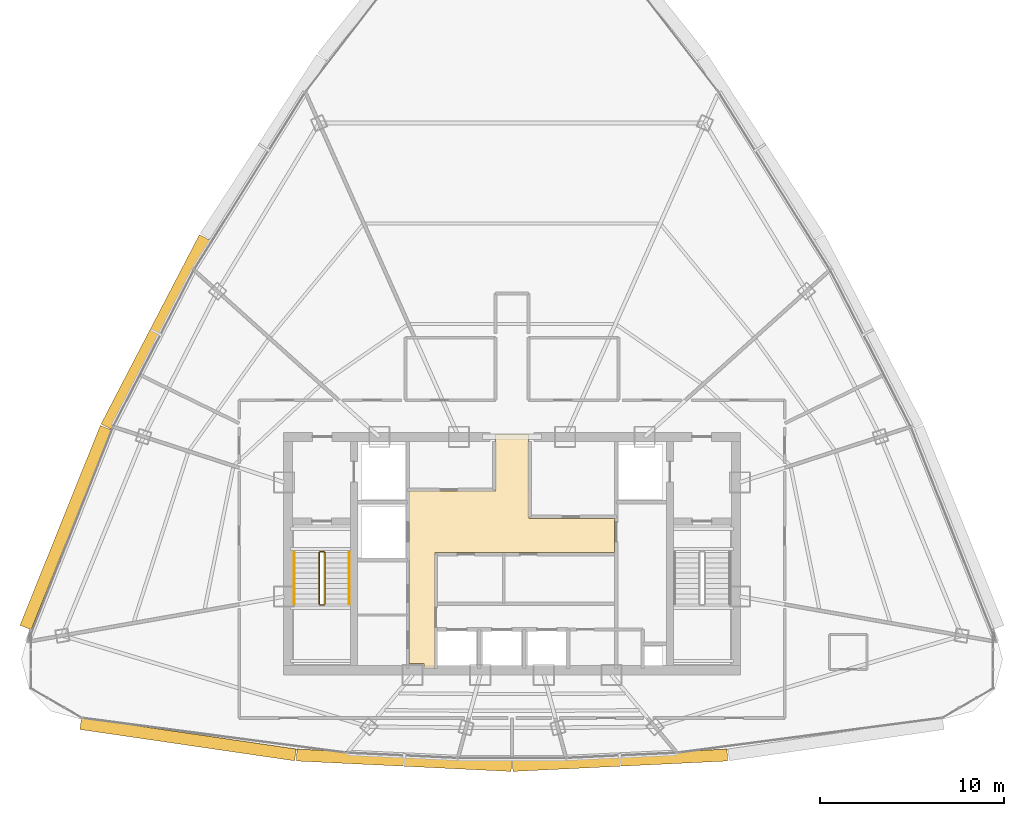
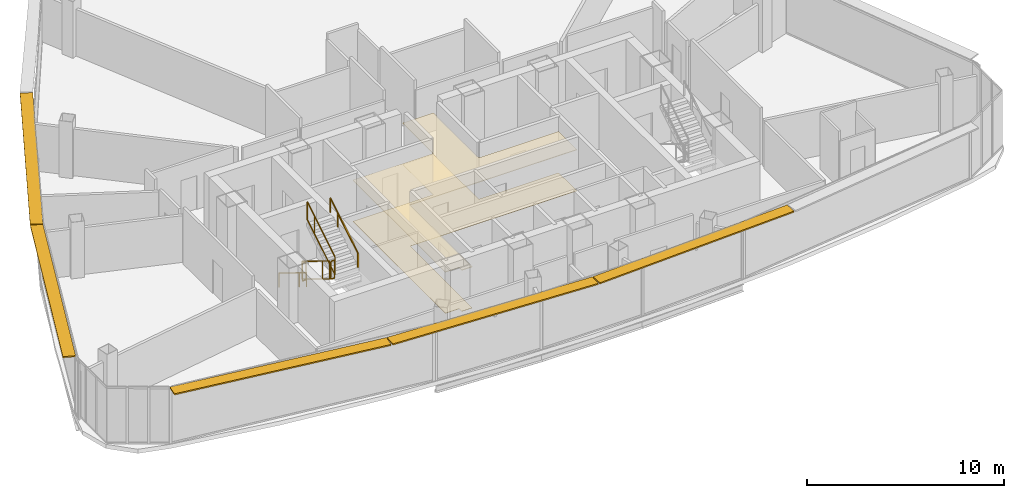
# One storey, part 27 of 29: 6 railings, 5 shading devices, 2 coverings.
"""IFC4 building model written with IfcOpenShell, lengths in metres."""

from ifc_helpers import new_model, si_unit, direction, frame, origin, origin_2d, place, context, subcontext, project, spatial, polyline, rectangle, outline, extrude, source, transform, mapped, material, layer, layer_set, type_object, element, save


model = new_model("IFC4")

# Units and contexts
model_context = context("Model", 3, precision=1e-05, world=origin(), true_north=direction((0.0, 1.0)))
body_context = subcontext(model_context, "Body", "Model", "MODEL_VIEW")
ifc_project = project(units=[si_unit("LENGTHUNIT", "METRE"), si_unit("AREAUNIT", "SQUARE_METRE"), si_unit("VOLUMEUNIT", "CUBIC_METRE"), si_unit("PLANEANGLEUNIT", "RADIAN"), si_unit("MASSUNIT", "GRAM", prefix="KILO"), si_unit("THERMODYNAMICTEMPERATUREUNIT", "KELVIN"), si_unit("POWERUNIT", "WATT")], contexts=[model_context])

# Site, building, storey
site_placement = place(None, origin())
site = spatial("IfcSite", under=ifc_project, at=site_placement, CompositionType="ELEMENT")
building_placement = place(site_placement, origin())
building = spatial("IfcBuilding", under=site, at=building_placement, Name="Yunzhuo Pagoda Commons", CompositionType="ELEMENT")
storey_placement = place(building_placement, frame((0.0, 0.0, 359.260009765625)))
storey = spatial("IfcBuildingStorey", under=building, at=storey_placement, Name="L90", CompositionType="ELEMENT", Elevation=359.260009765625)

# Coverings
ifc_material_1 = material(Name="Micro-perforated metal baffle ceiling")
ifc_layer_1 = layer(ifc_material_1, 0.034912109375)
ifc_layer_set_1 = layer_set([ifc_layer_1], Name="Micro-perforated metal baffle ceiling")
covering_type_1 = type_object("IfcCoveringType", Name="COV-CL3 Ceiling 35", PredefinedType="CEILING", material=ifc_layer_set_1)
covering_1_placement = place(storey_placement, frame((0.0, 0.0, 2.5400390625)))
element("IfcCovering", 1, at=covering_1_placement, inside=storey, type_object=covering_type_1, Name="L90 lift lobby acoustic ceiling", PredefinedType="CEILING", context=body_context, shape_type="SweptSolid", body=[
    extrude(outline(polyline([(42.39990234375, 37.25), (47.10009765625, 37.25), (47.10009765625, 40.35009765625), (48.89990234375, 40.35009765625), (48.89990234375, 37.25), (48.919921875, 37.25), (48.919921875, 35.75), (53.580078125, 35.75), (53.580078125, 33.89990234375), (43.820068359375, 33.89990234375), (43.820068359375, 27.60009765625), (43.207763671875, 27.60009765625), (43.207763671875, 27.85009765625), (43.201904296875, 27.864013671875), (43.187744140625, 27.8701171875), (42.39990234375, 27.8701171875), (42.39990234375, 33.89990234375), (42.39990234375, 37.25)])), origin(), (0.0, 0.0, 1.0), 0.034912109375),
])
ifc_material_2 = material(Name="Resilient acoustic studio flooring")
ifc_layer_2 = layer(ifc_material_2, 0.01806640625)
ifc_layer_set_2 = layer_set([ifc_layer_2], Name="Resilient acoustic studio flooring")
covering_type_2 = type_object("IfcCoveringType", Name="COV-FL3 Flooring 18", PredefinedType="FLOORING", material=ifc_layer_set_2)
covering_2_placement = place(storey_placement, origin())
element("IfcCovering", 2, at=covering_2_placement, inside=storey, type_object=covering_type_2, Name="L90 lift lobby flooring", PredefinedType="FLOORING", context=body_context, shape_type="SweptSolid", body=[
    extrude(outline(polyline([(42.39990234375, 37.25), (47.10009765625, 37.25), (47.10009765625, 40.35009765625), (48.89990234375, 40.35009765625), (48.89990234375, 37.25), (48.919921875, 37.25), (48.919921875, 35.75), (53.580078125, 35.75), (53.580078125, 33.89990234375), (43.820068359375, 33.89990234375), (43.820068359375, 27.60009765625), (43.207763671875, 27.60009765625), (43.207763671875, 27.85009765625), (43.201904296875, 27.864013671875), (43.187744140625, 27.8701171875), (42.39990234375, 27.8701171875), (42.39990234375, 33.89990234375), (42.39990234375, 37.25)])), origin(), (0.0, 0.0, 1.0), 0.01806640625),
])

# Railings
ifc_material_3 = material(Name="Anodized aluminium 6063-T6", Category="aluminium")
railing_type_1 = type_object("IfcRailingType", Name="GR-ST1 Stair Well Guardrail 1150", PredefinedType="GUARDRAIL", material=ifc_material_3)
railing_1_placement = place(storey_placement, frame((37.5, 33.89990234375, 0.17041015625)))
element("IfcRailing", 3, at=railing_1_placement, inside=storey, type_object=railing_type_1, Name="L90 ST1 stair guard 1", PredefinedType="GUARDRAIL", context=body_context, shape_type="SweptSolid", body=[
    extrude(rectangle(XDim=0.048095703125, YDim=0.048095703125, at=origin_2d()), frame((0.0, 0.0, 1.1259765625), z_axis=(0.0, -0.854149651119, 0.520027281489), x_axis=(1.0, 0.0, 0.0)), (0.0, 0.0, 1.0), 3.27783203125),
    extrude(rectangle(XDim=0.048095703125, YDim=0.048095703125, at=origin_2d()), frame((0.0, 0.0, 0.02392578125), z_axis=(0.0, -0.854149651119, 0.520027281489), x_axis=(1.0, 0.0, 0.0)), (0.0, 0.0, 1.0), 3.27783203125),
    extrude(rectangle(XDim=0.0419921875, YDim=0.0419921875, at=origin_2d()), origin(), (0.0, 0.0, 1.0), 1.101806640625),
    extrude(rectangle(XDim=0.0419921875, YDim=0.0419921875, at=origin_2d()), frame((0.0, -2.050048828125, 1.248046875)), (0.0, 0.0, 1.0), 1.101806640625),
    extrude(rectangle(XDim=0.0419921875, YDim=0.0419921875, at=origin_2d()), frame((0.0, -2.7998046875, 1.70458984375)), (0.0, 0.0, 1.0), 1.101806640625),
])
railing_2_placement = place(storey_placement, frame((37.550048828125, 31.050048828125, 1.875)))
element("IfcRailing", 4, at=railing_2_placement, inside=storey, type_object=railing_type_1, Name="L90 ST1 stair guard 2", PredefinedType="GUARDRAIL", context=body_context, shape_type="SweptSolid", body=[
    extrude(rectangle(XDim=0.048095703125, YDim=0.048095703125, at=origin_2d()), frame((0.0, 0.0, 1.1259765625), z_axis=(1.0, 0.0, 0.0), x_axis=(0.0, 1.0, 0.0)), (0.0, 0.0, 1.0), 0.199951171875),
    extrude(rectangle(XDim=0.048095703125, YDim=0.048095703125, at=origin_2d()), frame((0.0, 0.0, 0.02392578125), z_axis=(1.0, 0.0, 0.0), x_axis=(0.0, 1.0, 0.0)), (0.0, 0.0, 1.0), 0.199951171875),
    extrude(rectangle(XDim=0.0419921875, YDim=0.0419921875, at=origin_2d()), origin(), (0.0, 0.0, 1.0), 1.101806640625),
    extrude(rectangle(XDim=0.0419921875, YDim=0.0419921875, at=origin_2d()), frame((0.199951171875, 0.0, 0.0)), (0.0, 0.0, 1.0), 1.101806640625),
])
railing_3_placement = place(storey_placement, frame((37.800048828125, 31.10009765625, 2.04541015625)))
element("IfcRailing", 5, at=railing_3_placement, inside=storey, type_object=railing_type_1, Name="L90 ST1 stair guard 3", PredefinedType="GUARDRAIL", context=body_context, shape_type="SweptSolid", body=[
    extrude(rectangle(XDim=0.048095703125, YDim=0.048095703125, at=origin_2d()), frame((0.0, 0.0, 1.1259765625), z_axis=(0.0, 0.854149651119, 0.520027281489), x_axis=(-1.0, 0.0, 0.0)), (0.0, 0.0, 1.0), 3.27783203125),
    extrude(rectangle(XDim=0.048095703125, YDim=0.048095703125, at=origin_2d()), frame((0.0, 0.0, 0.02392578125), z_axis=(0.0, 0.854149651119, 0.520027281489), x_axis=(-1.0, 0.0, 0.0)), (0.0, 0.0, 1.0), 3.27783203125),
    extrude(rectangle(XDim=0.0419921875, YDim=0.0419921875, at=origin_2d()), origin(), (0.0, 0.0, 1.0), 1.101806640625),
    extrude(rectangle(XDim=0.0419921875, YDim=0.0419921875, at=origin_2d()), frame((0.0, 2.050048828125, 1.248046875)), (0.0, 0.0, 1.0), 1.101806640625),
    extrude(rectangle(XDim=0.0419921875, YDim=0.0419921875, at=origin_2d()), frame((0.0, 2.7998046875, 1.70458984375)), (0.0, 0.0, 1.0), 1.101806640625),
])
railing_4_placement = place(storey_placement, frame((37.550048828125, 33.949951171875, 0.0)))
element("IfcRailing", 6, at=railing_4_placement, inside=storey, type_object=railing_type_1, Name="L90 ST1 stair guard 4", PredefinedType="GUARDRAIL", context=body_context, shape_type="SweptSolid", body=[
    extrude(rectangle(XDim=0.048095703125, YDim=0.048095703125, at=origin_2d()), frame((0.0, 0.0, 1.1259765625), z_axis=(1.0, 0.0, 0.0), x_axis=(0.0, 1.0, 0.0)), (0.0, 0.0, 1.0), 0.199951171875),
    extrude(rectangle(XDim=0.048095703125, YDim=0.048095703125, at=origin_2d()), frame((0.0, 0.0, 0.02392578125), z_axis=(1.0, 0.0, 0.0), x_axis=(0.0, 1.0, 0.0)), (0.0, 0.0, 1.0), 0.199951171875),
    extrude(rectangle(XDim=0.0419921875, YDim=0.0419921875, at=origin_2d()), origin(), (0.0, 0.0, 1.0), 1.101806640625),
    extrude(rectangle(XDim=0.0419921875, YDim=0.0419921875, at=origin_2d()), frame((0.199951171875, 0.0, 0.0)), (0.0, 0.0, 1.0), 1.101806640625),
])
railing_type_2 = type_object("IfcRailingType", Name="HR-ST1 Stair Handrail 900", PredefinedType="HANDRAIL", material=ifc_material_3)
railing_5_placement = place(storey_placement, frame((36.14990234375, 33.89990234375, 0.17041015625)))
element("IfcRailing", 7, at=railing_5_placement, inside=storey, type_object=railing_type_2, Name="L90 ST1 stair handrail 1", PredefinedType="HANDRAIL", context=body_context, shape_type="SweptSolid", body=[
    extrude(rectangle(XDim=0.048095703125, YDim=0.048095703125, at=origin_2d()), frame((0.0, 0.0, 0.8759765625), z_axis=(0.0, -0.854149651119, 0.520027281489), x_axis=(1.0, 0.0, 0.0)), (0.0, 0.0, 1.0), 3.27783203125),
    extrude(rectangle(XDim=0.0419921875, YDim=0.0419921875, at=origin_2d()), origin(), (0.0, 0.0, 1.0), 0.851806640625),
    extrude(rectangle(XDim=0.0419921875, YDim=0.0419921875, at=origin_2d()), frame((0.0, -2.050048828125, 1.248046875)), (0.0, 0.0, 1.0), 0.851806640625),
    extrude(rectangle(XDim=0.0419921875, YDim=0.0419921875, at=origin_2d()), frame((0.0, -2.7998046875, 1.70458984375)), (0.0, 0.0, 1.0), 0.851806640625),
])
railing_6_placement = place(storey_placement, frame((39.14990234375, 31.10009765625, 2.04541015625)))
element("IfcRailing", 8, at=railing_6_placement, inside=storey, type_object=railing_type_2, Name="L90 ST1 stair handrail 2", PredefinedType="HANDRAIL", context=body_context, shape_type="SweptSolid", body=[
    extrude(rectangle(XDim=0.048095703125, YDim=0.048095703125, at=origin_2d()), frame((0.0, 0.0, 0.8759765625), z_axis=(0.0, 0.854149651119, 0.520027281489), x_axis=(-1.0, 0.0, 0.0)), (0.0, 0.0, 1.0), 3.27783203125),
    extrude(rectangle(XDim=0.0419921875, YDim=0.0419921875, at=origin_2d()), origin(), (0.0, 0.0, 1.0), 0.851806640625),
    extrude(rectangle(XDim=0.0419921875, YDim=0.0419921875, at=origin_2d()), frame((0.0, 2.050048828125, 1.248046875)), (0.0, 0.0, 1.0), 0.851806640625),
    extrude(rectangle(XDim=0.0419921875, YDim=0.0419921875, at=origin_2d()), frame((0.0, 2.7998046875, 1.70458984375)), (0.0, 0.0, 1.0), 0.851806640625),
])

# Shading devices
ifc_layer_3 = layer(ifc_material_3, 0.080078125)
ifc_layer_set_3 = layer_set([ifc_layer_3], Name="Anodized aluminium 6063-T6")
shading_device_type = type_object("IfcShadingDeviceType", Name="SH-SUN1 Pagoda Horizontal Sunshade Eave 650", PredefinedType="USERDEFINED", material=ifc_layer_set_3)
shared_shape_1 = source(origin(), body_context, "Body", "SweptSolid", [
    extrude(rectangle(XDim=11.814208984375, YDim=0.64990234375, at=origin_2d()), origin(), (0.0, 0.0, 1.0), 0.080078125),
])
shading_device_1_placement = place(storey_placement, frame((30.37060546875, 23.743896484375, 3.409912109375), z_axis=(0.0, 0.0, 1.0), x_axis=(0.989510666697, -0.144459823108, 0.0)))
element("IfcShadingDevice", 9, at=shading_device_1_placement, inside=storey, type_object=shading_device_type, Name="L90 horizontal pagoda sunshade eave F1.1", ObjectType="SUNSHADE", PredefinedType="USERDEFINED", context=body_context, shape_type="MappedRepresentation", body=[
    mapped(shared_shape_1, transform((0.0, 0.0, 0.0), scale=1.0)),
])
shared_shape_2 = source(origin(), body_context, "Body", "SweptSolid", [
    extrude(rectangle(XDim=11.70361328125, YDim=0.64990234375, at=origin_2d()), origin(), (0.0, 0.0, 1.0), 0.080078125),
])
for number, where, z_axis, x_axis, name in (
    (10, (42.12353515625, 22.60009765625, 3.409912109375), (0.0, 0.0, 1.0), (0.998818043775, -0.04860571396, 0.0), "L90 horizontal pagoda sunshade eave F1.2"),
    (11, (53.876708984375, 22.60009765625, 3.409912109375), (0.0, 0.0, 1.0), (0.998818043775, 0.04860571396, 0.0), "L90 horizontal pagoda sunshade eave F1.3"),
):
    element("IfcShadingDevice", number, at=place(storey_placement, frame(where, z_axis=z_axis, x_axis=x_axis)), inside=storey, type_object=shading_device_type, Name=name, ObjectType="SUNSHADE", PredefinedType="USERDEFINED", context=body_context, shape_type="MappedRepresentation", body=[
        mapped(shared_shape_2, transform((0.0, 0.0, 0.0), scale=1.0)),
    ])
shared_shape_3 = source(origin(), body_context, "Body", "SweptSolid", [
    extrude(rectangle(XDim=11.718994140625, YDim=0.64990234375, at=origin_2d()), origin(), (0.0, 0.0, 1.0), 0.080078125),
])
shading_device_2_placement = place(storey_placement, frame((23.708740234375, 35.262451171875, 3.409912109375), z_axis=(0.0, 0.0, 1.0), x_axis=(-0.372987782576, -0.927836253899, 0.0)))
element("IfcShadingDevice", 12, at=shading_device_2_placement, inside=storey, type_object=shading_device_type, Name="L90 horizontal pagoda sunshade eave F3.4", ObjectType="SUNSHADE", PredefinedType="USERDEFINED", context=body_context, shape_type="MappedRepresentation", body=[
    mapped(shared_shape_3, transform((0.0, 0.0, 0.0), scale=1.0)),
])
shared_shape_4 = source(origin(), body_context, "Body", "SweptSolid", [
    extrude(rectangle(XDim=11.607666015625, YDim=0.64990234375, at=origin_2d()), origin(), (0.0, 0.0, 1.0), 0.080078125),
])
shading_device_3_placement = place(storey_placement, frame((28.597412109375, 45.90625, 3.409912109375), z_axis=(0.0, 0.0, 1.0), x_axis=(-0.461206683033, -0.88729273384, 0.0)))
element("IfcShadingDevice", 13, at=shading_device_3_placement, inside=storey, type_object=shading_device_type, Name="L90 horizontal pagoda sunshade eave F3.3", ObjectType="SUNSHADE", PredefinedType="USERDEFINED", context=body_context, shape_type="MappedRepresentation", body=[
    mapped(shared_shape_4, transform((0.0, 0.0, 0.0), scale=1.0)),
])

save(model, "model.ifc")
